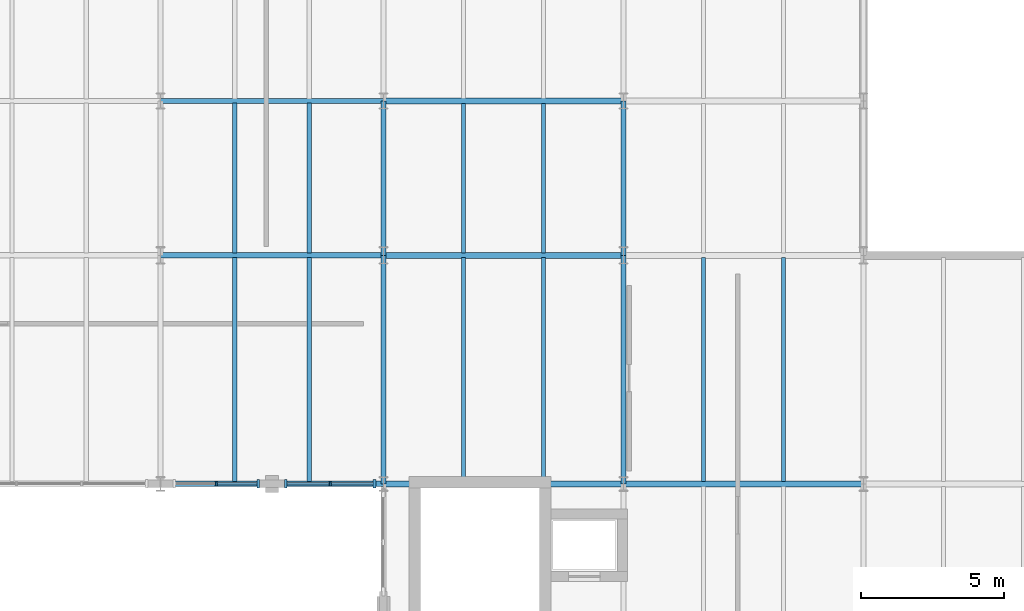
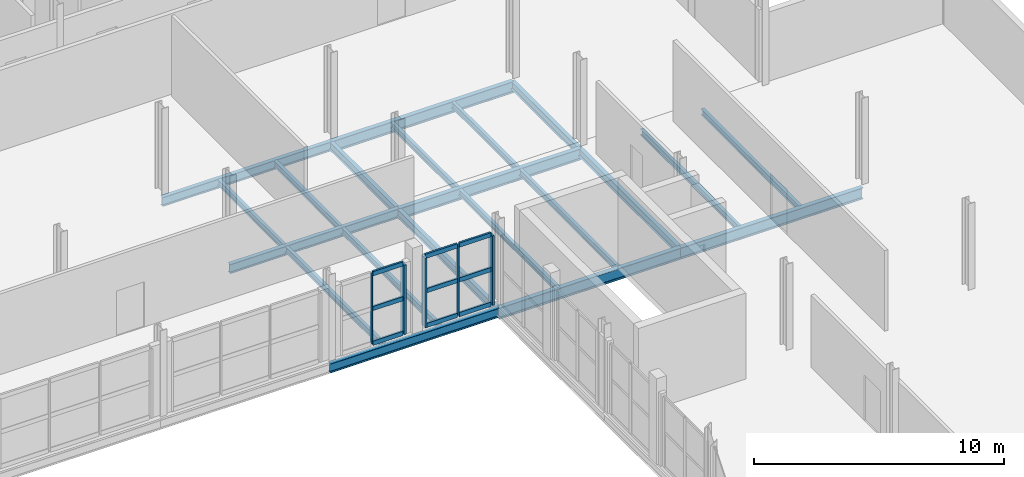
# One storey, part 20 of 45: 21 beams, 14 members, 2 elements without a shape of their own.
"""IFC4 building model written with IfcOpenShell, lengths in metres."""

from ifc_helpers import new_model, si_unit, direction, frame, origin, origin_2d, place, context, subcontext, project, spatial, rectangle, i_section, extrude, material, layer, layer_set, material_profile, profile_set, type_object, element, aggregate, save


model = new_model("IFC4")

# Units and contexts
model_context = context("Model", 3, precision=1e-05, world=origin(), true_north=direction((0.0, 1.0)))
body_context = subcontext(model_context, "Body", "Model", "MODEL_VIEW")
ifc_project = project(units=[si_unit("LENGTHUNIT", "METRE"), si_unit("AREAUNIT", "SQUARE_METRE"), si_unit("VOLUMEUNIT", "CUBIC_METRE"), si_unit("PLANEANGLEUNIT", "RADIAN"), si_unit("MASSUNIT", "GRAM", prefix="KILO")], contexts=[model_context])

# Site, building, storey
site_placement = place(None, origin())
site = spatial("IfcSite", under=ifc_project, at=site_placement, CompositionType="ELEMENT")
building_placement = place(site_placement, origin())
building = spatial("IfcBuilding", under=site, at=building_placement, Name="Sefraquen Railside Congress Hotel", CompositionType="ELEMENT")
storey_placement = place(building_placement, frame((0.0, 0.0, 20.39990234375)))
storey = spatial("IfcBuildingStorey", under=building, at=storey_placement, Name="L04", CompositionType="ELEMENT", Elevation=20.39990234375)

# Beams
ifc_material_1 = material(Name="Steel S355JR", Category="steel")
ifc_material_profile_1 = material_profile(ifc_material_1, i_section(OverallWidth=0.179931640625, OverallDepth=0.39990234375, WebThickness=0.008544921875, FlangeThickness=0.013427734375, FilletRadius=0.02099609375, at=origin_2d()), Name="IPE 400")
ifc_profile_set_1 = profile_set([ifc_material_profile_1], Name="Steel S355JR")
beam_type_1 = type_object("IfcBeamType", Name="TB-BM-400I", PredefinedType="BEAM", material=ifc_profile_set_1)
beam_1_placement = place(storey_placement, frame((103.199951171875, 88.0, -0.47998046875), z_axis=(0.0, 1.0, 0.0), x_axis=(-1.0, 0.0, 0.0)))
element("IfcBeam", 1, at=beam_1_placement, inside=storey, type_object=beam_type_1, Name="Floor beam BM-L04-1400", PredefinedType="BEAM", context=body_context, shape_type="SweptSolid", body=[
    extrude(i_section(OverallWidth=0.179931640625, OverallDepth=0.39990234375, WebThickness=0.008544921875, FlangeThickness=0.013427734375, FilletRadius=0.02099609375, at=origin_2d()), origin(), (0.0, 0.0, 1.0), 8.0),
])
beam_2_placement = place(storey_placement, frame((103.199951171875, 96.0, -0.47998046875), z_axis=(0.0, 1.0, 0.0), x_axis=(-1.0, 0.0, 0.0)))
element("IfcBeam", 2, at=beam_2_placement, inside=storey, type_object=beam_type_1, Name="Floor beam BM-L04-1401", PredefinedType="BEAM", context=body_context, shape_type="SweptSolid", body=[
    extrude(i_section(OverallWidth=0.179931640625, OverallDepth=0.39990234375, WebThickness=0.008544921875, FlangeThickness=0.013427734375, FilletRadius=0.02099609375, at=origin_2d()), origin(), (0.0, 0.0, 1.0), 5.39990234375),
])
beam_3_placement = place(storey_placement, frame((111.60009765625, 88.0, -0.47998046875), z_axis=(0.0, 1.0, 0.0), x_axis=(-1.0, 0.0, 0.0)))
element("IfcBeam", 3, at=beam_3_placement, inside=storey, type_object=beam_type_1, Name="Floor beam BM-L04-1408", PredefinedType="BEAM", context=body_context, shape_type="SweptSolid", body=[
    extrude(i_section(OverallWidth=0.179931640625, OverallDepth=0.39990234375, WebThickness=0.008544921875, FlangeThickness=0.013427734375, FilletRadius=0.02099609375, at=origin_2d()), origin(), (0.0, 0.0, 1.0), 8.0),
])
beam_4_placement = place(storey_placement, frame((111.60009765625, 96.0, -0.47998046875), z_axis=(0.0, 1.0, 0.0), x_axis=(-1.0, 0.0, 0.0)))
element("IfcBeam", 4, at=beam_4_placement, inside=storey, type_object=beam_type_1, Name="Floor beam BM-L04-1409", PredefinedType="BEAM", context=body_context, shape_type="SweptSolid", body=[
    extrude(i_section(OverallWidth=0.179931640625, OverallDepth=0.39990234375, WebThickness=0.008544921875, FlangeThickness=0.013427734375, FilletRadius=0.02099609375, at=origin_2d()), origin(), (0.0, 0.0, 1.0), 5.39990234375),
])
ifc_material_profile_2 = material_profile(ifc_material_1, i_section(OverallWidth=0.18994140625, OverallDepth=0.449951171875, WebThickness=0.009521484375, FlangeThickness=0.0146484375, FilletRadius=0.02099609375, at=origin_2d()), Name="IPE 450")
ifc_profile_set_2 = profile_set([ifc_material_profile_2], Name="Steel S355JR")
beam_type_2 = type_object("IfcBeamType", Name="TB-BM-450", PredefinedType="BEAM", material=ifc_profile_set_2)
for number, where, z_axis, x_axis, name in (
    (5, (95.39990234375, 88.0, -0.5048828125), (1.0, 0.0, 0.0), (0.0, 1.0, 0.0), "Primary girder BM-L04-1284"),
    (6, (95.39990234375, 96.0, -0.5048828125), (1.0, 0.0, 0.0), (0.0, 1.0, 0.0), "Primary girder BM-L04-1299"),
    (7, (95.39990234375, 101.39990234375, -0.5048828125), (1.0, 0.0, 0.0), (0.0, 1.0, 0.0), "Primary girder BM-L04-1312"),
):
    element("IfcBeam", number, at=place(storey_placement, frame(where, z_axis=z_axis, x_axis=x_axis)), inside=storey, type_object=beam_type_2, Name=name, PredefinedType="BEAM", context=body_context, shape_type="SweptSolid", body=[
        extrude(i_section(OverallWidth=0.18994140625, OverallDepth=0.449951171875, WebThickness=0.009521484375, FlangeThickness=0.0146484375, FilletRadius=0.02099609375, at=origin_2d()), origin(), (0.0, 0.0, 1.0), 7.800048828125),
    ])
ifc_material_profile_3 = material_profile(ifc_material_1, i_section(OverallWidth=0.2099609375, OverallDepth=0.550048828125, WebThickness=0.010986328125, FlangeThickness=0.01708984375, FilletRadius=0.02392578125, at=origin_2d()), Name="IPE 550")
ifc_profile_set_3 = profile_set([ifc_material_profile_3], Name="Steel S355JR")
beam_type_3 = type_object("IfcBeamType", Name="TB-GIR-550", PredefinedType="T_BEAM", material=ifc_profile_set_3)
beam_5_placement = place(storey_placement, frame((103.199951171875, 88.0, -0.554931640625), z_axis=(1.0, 0.0, 0.0), x_axis=(0.0, 1.0, 0.0)))
element("IfcBeam", 8, at=beam_5_placement, inside=storey, type_object=beam_type_3, Name="Primary girder BM-L04-1285", PredefinedType="T_BEAM", context=body_context, shape_type="SweptSolid", body=[
    extrude(i_section(OverallWidth=0.2099609375, OverallDepth=0.550048828125, WebThickness=0.010986328125, FlangeThickness=0.01708984375, FilletRadius=0.02392578125, at=origin_2d()), origin(), (0.0, 0.0, 1.0), 8.400146484375),
])
beam_6_placement = place(storey_placement, frame((111.60009765625, 88.0, -0.554931640625), z_axis=(1.0, 0.0, 0.0), x_axis=(0.0, 1.0, 0.0)))
element("IfcBeam", 9, at=beam_6_placement, inside=storey, type_object=beam_type_3, Name="Primary girder BM-L04-1286", PredefinedType="T_BEAM", context=body_context, shape_type="SweptSolid", body=[
    extrude(i_section(OverallWidth=0.2099609375, OverallDepth=0.550048828125, WebThickness=0.010986328125, FlangeThickness=0.01708984375, FilletRadius=0.02392578125, at=origin_2d()), origin(), (0.0, 0.0, 1.0), 8.39990234375),
])
for number, where, z_axis, x_axis, name in (
    (10, (103.199951171875, 96.0, -0.554931640625), (1.0, 0.0, 0.0), (0.0, 1.0, 0.0), "Primary girder BM-L04-1300"),
    (11, (103.199951171875, 101.39990234375, -0.554931640625), (1.0, 0.0, 0.0), (0.0, 1.0, 0.0), "Primary girder BM-L04-1313"),
):
    element("IfcBeam", number, at=place(storey_placement, frame(where, z_axis=z_axis, x_axis=x_axis)), inside=storey, type_object=beam_type_3, Name=name, PredefinedType="T_BEAM", context=body_context, shape_type="SweptSolid", body=[
        extrude(i_section(OverallWidth=0.2099609375, OverallDepth=0.550048828125, WebThickness=0.010986328125, FlangeThickness=0.01708984375, FilletRadius=0.02392578125, at=origin_2d()), origin(), (0.0, 0.0, 1.0), 8.400146484375),
    ])
ifc_material_profile_4 = material_profile(ifc_material_1, i_section(OverallWidth=0.14990234375, OverallDepth=0.300048828125, WebThickness=0.007080078125, FlangeThickness=0.0107421875, FilletRadius=0.014892578125, at=origin_2d()), Name="IPE 300")
ifc_profile_set_4 = profile_set([ifc_material_profile_4], Name="Steel S355JR")
beam_type_4 = type_object("IfcBeamType", Name="TB-JST-300", PredefinedType="JOIST", material=ifc_profile_set_4)
for number, where, z_axis, x_axis, name in (
    (12, (98.0, 88.074951171875, -0.429931640625), (0.0, 1.0, 0.0), (-1.0, 0.0, 0.0), "Composite floor joist BM-L04-J0904"),
    (13, (100.60009765625, 88.074951171875, -0.429931640625), (0.0, 1.0, 0.0), (-1.0, 0.0, 0.0), "Composite floor joist BM-L04-J0905"),
):
    element("IfcBeam", number, at=place(storey_placement, frame(where, z_axis=z_axis, x_axis=x_axis)), inside=storey, type_object=beam_type_4, Name=name, PredefinedType="JOIST", context=body_context, shape_type="SweptSolid", body=[
        extrude(i_section(OverallWidth=0.14990234375, OverallDepth=0.300048828125, WebThickness=0.007080078125, FlangeThickness=0.0107421875, FilletRadius=0.014892578125, at=origin_2d()), origin(), (0.0, 0.0, 1.0), 7.85009765625),
    ])
for number, where, z_axis, x_axis, name in (
    (14, (98.0, 96.074951171875, -0.429931640625), (0.0, 1.0, 0.0), (-1.0, 0.0, 0.0), "Composite floor joist BM-L04-J0906"),
    (15, (100.60009765625, 96.074951171875, -0.429931640625), (0.0, 1.0, 0.0), (-1.0, 0.0, 0.0), "Composite floor joist BM-L04-J0907"),
):
    element("IfcBeam", number, at=place(storey_placement, frame(where, z_axis=z_axis, x_axis=x_axis)), inside=storey, type_object=beam_type_4, Name=name, PredefinedType="JOIST", context=body_context, shape_type="SweptSolid", body=[
        extrude(i_section(OverallWidth=0.14990234375, OverallDepth=0.300048828125, WebThickness=0.007080078125, FlangeThickness=0.0107421875, FilletRadius=0.014892578125, at=origin_2d()), origin(), (0.0, 0.0, 1.0), 5.25),
    ])
for number, where, z_axis, x_axis, name in (
    (16, (106.0, 88.0849609375, -0.429931640625), (0.0, 1.0, 0.0), (-1.0, 0.0, 0.0), "Composite floor joist BM-L04-J0912"),
    (17, (108.800048828125, 88.0849609375, -0.429931640625), (0.0, 1.0, 0.0), (-1.0, 0.0, 0.0), "Composite floor joist BM-L04-J0913"),
):
    element("IfcBeam", number, at=place(storey_placement, frame(where, z_axis=z_axis, x_axis=x_axis)), inside=storey, type_object=beam_type_4, Name=name, PredefinedType="JOIST", context=body_context, shape_type="SweptSolid", body=[
        extrude(i_section(OverallWidth=0.14990234375, OverallDepth=0.300048828125, WebThickness=0.007080078125, FlangeThickness=0.0107421875, FilletRadius=0.014892578125, at=origin_2d()), origin(), (0.0, 0.0, 1.0), 7.830078125),
    ])
for number, where, z_axis, x_axis, name in (
    (18, (106.0, 96.0849609375, -0.429931640625), (0.0, 1.0, 0.0), (-1.0, 0.0, 0.0), "Composite floor joist BM-L04-J0914"),
    (19, (108.800048828125, 96.0849609375, -0.429931640625), (0.0, 1.0, 0.0), (-1.0, 0.0, 0.0), "Composite floor joist BM-L04-J0915"),
):
    element("IfcBeam", number, at=place(storey_placement, frame(where, z_axis=z_axis, x_axis=x_axis)), inside=storey, type_object=beam_type_4, Name=name, PredefinedType="JOIST", context=body_context, shape_type="SweptSolid", body=[
        extrude(i_section(OverallWidth=0.14990234375, OverallDepth=0.300048828125, WebThickness=0.007080078125, FlangeThickness=0.0107421875, FilletRadius=0.014892578125, at=origin_2d()), origin(), (0.0, 0.0, 1.0), 5.22998046875),
    ])
for number, where, z_axis, x_axis, name in (
    (20, (114.39990234375, 88.0849609375, -0.429931640625), (0.0, 1.0, 0.0), (-1.0, 0.0, 0.0), "Composite floor joist BM-L04-J0924"),
    (21, (117.199951171875, 88.0849609375, -0.429931640625), (0.0, 1.0, 0.0), (-1.0, 0.0, 0.0), "Composite floor joist BM-L04-J0925"),
):
    element("IfcBeam", number, at=place(storey_placement, frame(where, z_axis=z_axis, x_axis=x_axis)), inside=storey, type_object=beam_type_4, Name=name, PredefinedType="JOIST", context=body_context, shape_type="SweptSolid", body=[
        extrude(i_section(OverallWidth=0.14990234375, OverallDepth=0.300048828125, WebThickness=0.007080078125, FlangeThickness=0.0107421875, FilletRadius=0.014892578125, at=origin_2d()), origin(), (0.0, 0.0, 1.0), 7.830078125),
    ])

# Curtain wall, member
ifc_material_2 = material(Name="Thermally broken anodised aluminium and low-E double glazing", Category="aluminium")
ifc_layer = layer(ifc_material_2, 0.199951171875)
ifc_layer_set = layer_set([ifc_layer], Name="Thermally broken anodised aluminium and low-E double glazing")
curtain_wall_type = type_object("IfcCurtainWallType", Name="TCW-UCW-07", PredefinedType="USERDEFINED", material=ifc_layer_set)
curtain_wall_1_placement = place(storey_placement, origin())
curtain_wall_1 = element("IfcCurtainWall", 22, at=curtain_wall_1_placement, inside=storey, type_object=curtain_wall_type, Name="Meeting Wing L04 courtyard north curtain wall 3 bay 3", ObjectType="UNITISED CURTAIN WALL", PredefinedType="USERDEFINED")
ifc_material_3 = material(Name="Thermally broken anodised aluminium 6063-T6", Category="aluminium")
ifc_material_profile_5 = material_profile(ifc_material_3, rectangle(XDim=0.06005859375, YDim=0.159912109375, at=origin_2d()), Name="CWM 60x160")
ifc_profile_set_5 = profile_set([ifc_material_profile_5], Name="Thermally broken anodised aluminium 6063-T6")
member_type_1 = type_object("IfcMemberType", Name="TM-CWM-01", PredefinedType="MULLION", material=ifc_profile_set_5)
member_1_placement = place(storey_placement, frame((97.35009765625, 88.0, 0.0), z_axis=(0.0, 0.0, 1.0), x_axis=(1.0, 0.0, 0.0)))
member_1 = element("IfcMember", 23, at=member_1_placement, type_object=member_type_1, Name="CW-L04-071-S3 mullion 2", PredefinedType="MULLION", context=body_context, shape_type="SweptSolid", body=[
    extrude(rectangle(XDim=0.06005859375, YDim=0.159912109375, at=origin_2d()), origin(), (0.0, 0.0, 1.0), 3.39013671875),
])

curtain_wall_2_placement = place(storey_placement, origin())
curtain_wall_2 = element("IfcCurtainWall", 24, at=curtain_wall_2_placement, inside=storey, type_object=curtain_wall_type, Name="Meeting Wing L04 courtyard north curtain wall 3 bay 4", ObjectType="UNITISED CURTAIN WALL", PredefinedType="USERDEFINED")
member_2_placement = place(storey_placement, frame((101.3349609375, 88.0, 0.0), z_axis=(0.0, 0.0, 1.0), x_axis=(1.0, 0.0, 0.0)))
member_2 = element("IfcMember", 25, at=member_2_placement, type_object=member_type_1, Name="CW-L04-071-S4 mullion 2", PredefinedType="MULLION", context=body_context, shape_type="SweptSolid", body=[
    extrude(rectangle(XDim=0.06005859375, YDim=0.159912109375, at=origin_2d()), origin(), (0.0, 0.0, 1.0), 3.39013671875),
])

# Member
ifc_material_profile_6 = material_profile(ifc_material_3, rectangle(XDim=0.094970703125, YDim=0.300048828125, at=origin_2d()), Name="CWM 95x300")
ifc_profile_set_6 = profile_set([ifc_material_profile_6], Name="Thermally broken anodised aluminium 6063-T6")
member_type_2 = type_object("IfcMemberType", Name="TM-CWM-08", PredefinedType="MULLION", material=ifc_profile_set_6)
member_3_placement = place(storey_placement, frame((98.820068359375, 88.0, 0.0), z_axis=(0.0, 0.0, 1.0), x_axis=(1.0, 0.0, 0.0)))
member_3 = element("IfcMember", 26, at=member_3_placement, type_object=member_type_2, Name="CW-L04-071-S3 mullion 3", PredefinedType="MULLION", context=body_context, shape_type="SweptSolid", body=[
    extrude(rectangle(XDim=0.094970703125, YDim=0.300048828125, at=origin_2d()), origin(), (0.0, 0.0, 1.0), 3.39013671875),
])

member_4_placement = place(storey_placement, frame((99.780029296875, 88.0, 0.0), z_axis=(0.0, 0.0, 1.0), x_axis=(1.0, 0.0, 0.0)))
member_4 = element("IfcMember", 27, at=member_4_placement, type_object=member_type_2, Name="CW-L04-071-S4 mullion 1", PredefinedType="MULLION", context=body_context, shape_type="SweptSolid", body=[
    extrude(rectangle(XDim=0.094970703125, YDim=0.300048828125, at=origin_2d()), origin(), (0.0, 0.0, 1.0), 3.39013671875),
])

member_5_placement = place(storey_placement, frame((102.889892578125, 88.0, 0.0), z_axis=(0.0, 0.0, 1.0), x_axis=(1.0, 0.0, 0.0)))
member_5 = element("IfcMember", 28, at=member_5_placement, type_object=member_type_2, Name="CW-L04-071-S4 mullion 3", PredefinedType="MULLION", context=body_context, shape_type="SweptSolid", body=[
    extrude(rectangle(XDim=0.094970703125, YDim=0.300048828125, at=origin_2d()), origin(), (0.0, 0.0, 1.0), 3.39013671875),
])

ifc_material_profile_7 = material_profile(ifc_material_3, rectangle(XDim=0.090087890625, YDim=0.2099609375, at=origin_2d()), Name="CWT 90x210")
ifc_profile_set_7 = profile_set([ifc_material_profile_7], Name="Thermally broken anodised aluminium 6063-T6")
member_type_3 = type_object("IfcMemberType", Name="TM-CWT-07", PredefinedType="USERDEFINED", material=ifc_profile_set_7)
member_6_placement = place(storey_placement, frame((97.39501953125, 88.0, 0.0), z_axis=(1.0, 0.0, 0.0), x_axis=(0.0, 1.0, 0.0)))
member_6 = element("IfcMember", 29, at=member_6_placement, type_object=member_type_3, Name="CW-L04-071-S3 transom 1.2", ObjectType="TRANSOM", PredefinedType="USERDEFINED", context=body_context, shape_type="SweptSolid", body=[
    extrude(rectangle(XDim=0.090087890625, YDim=0.2099609375, at=origin_2d()), origin(), (0.0, 0.0, 1.0), 1.3798828125),
])

member_7_placement = place(storey_placement, frame((97.39501953125, 88.0, 1.695068359375), z_axis=(1.0, 0.0, 0.0), x_axis=(0.0, 1.0, 0.0)))
member_7 = element("IfcMember", 30, at=member_7_placement, type_object=member_type_3, Name="CW-L04-071-S3 transom 2.2", ObjectType="TRANSOM", PredefinedType="USERDEFINED", context=body_context, shape_type="SweptSolid", body=[
    extrude(rectangle(XDim=0.090087890625, YDim=0.2099609375, at=origin_2d()), origin(), (0.0, 0.0, 1.0), 1.3798828125),
])

member_8_placement = place(storey_placement, frame((97.39501953125, 88.0, 3.39013671875), z_axis=(1.0, 0.0, 0.0), x_axis=(0.0, 1.0, 0.0)))
member_8 = element("IfcMember", 31, at=member_8_placement, type_object=member_type_3, Name="CW-L04-071-S3 transom 3.2", ObjectType="TRANSOM", PredefinedType="USERDEFINED", context=body_context, shape_type="SweptSolid", body=[
    extrude(rectangle(XDim=0.090087890625, YDim=0.2099609375, at=origin_2d()), origin(), (0.0, 0.0, 1.0), 1.3798828125),
])

aggregate(curtain_wall_1, [member_1, member_3, member_6, member_7, member_8])

member_9_placement = place(storey_placement, frame((99.824951171875, 88.0, 0.0), z_axis=(1.0, 0.0, 0.0), x_axis=(0.0, 1.0, 0.0)))
member_9 = element("IfcMember", 32, at=member_9_placement, type_object=member_type_3, Name="CW-L04-071-S4 transom 1.1", ObjectType="TRANSOM", PredefinedType="USERDEFINED", context=body_context, shape_type="SweptSolid", body=[
    extrude(rectangle(XDim=0.090087890625, YDim=0.2099609375, at=origin_2d()), origin(), (0.0, 0.0, 1.0), 1.465087890625),
])

member_10_placement = place(storey_placement, frame((101.3798828125, 88.0, 0.0), z_axis=(1.0, 0.0, 0.0), x_axis=(0.0, 1.0, 0.0)))
member_10 = element("IfcMember", 33, at=member_10_placement, type_object=member_type_3, Name="CW-L04-071-S4 transom 1.2", ObjectType="TRANSOM", PredefinedType="USERDEFINED", context=body_context, shape_type="SweptSolid", body=[
    extrude(rectangle(XDim=0.090087890625, YDim=0.2099609375, at=origin_2d()), origin(), (0.0, 0.0, 1.0), 1.465087890625),
])

member_11_placement = place(storey_placement, frame((99.824951171875, 88.0, 1.695068359375), z_axis=(1.0, 0.0, 0.0), x_axis=(0.0, 1.0, 0.0)))
member_11 = element("IfcMember", 34, at=member_11_placement, type_object=member_type_3, Name="CW-L04-071-S4 transom 2.1", ObjectType="TRANSOM", PredefinedType="USERDEFINED", context=body_context, shape_type="SweptSolid", body=[
    extrude(rectangle(XDim=0.090087890625, YDim=0.2099609375, at=origin_2d()), origin(), (0.0, 0.0, 1.0), 1.465087890625),
])

member_12_placement = place(storey_placement, frame((101.3798828125, 88.0, 1.695068359375), z_axis=(1.0, 0.0, 0.0), x_axis=(0.0, 1.0, 0.0)))
member_12 = element("IfcMember", 35, at=member_12_placement, type_object=member_type_3, Name="CW-L04-071-S4 transom 2.2", ObjectType="TRANSOM", PredefinedType="USERDEFINED", context=body_context, shape_type="SweptSolid", body=[
    extrude(rectangle(XDim=0.090087890625, YDim=0.2099609375, at=origin_2d()), origin(), (0.0, 0.0, 1.0), 1.465087890625),
])

member_13_placement = place(storey_placement, frame((99.824951171875, 88.0, 3.39013671875), z_axis=(1.0, 0.0, 0.0), x_axis=(0.0, 1.0, 0.0)))
member_13 = element("IfcMember", 36, at=member_13_placement, type_object=member_type_3, Name="CW-L04-071-S4 transom 3.1", ObjectType="TRANSOM", PredefinedType="USERDEFINED", context=body_context, shape_type="SweptSolid", body=[
    extrude(rectangle(XDim=0.090087890625, YDim=0.2099609375, at=origin_2d()), origin(), (0.0, 0.0, 1.0), 1.465087890625),
])

member_14_placement = place(storey_placement, frame((101.3798828125, 88.0, 3.39013671875), z_axis=(1.0, 0.0, 0.0), x_axis=(0.0, 1.0, 0.0)))
member_14 = element("IfcMember", 37, at=member_14_placement, type_object=member_type_3, Name="CW-L04-071-S4 transom 3.2", ObjectType="TRANSOM", PredefinedType="USERDEFINED", context=body_context, shape_type="SweptSolid", body=[
    extrude(rectangle(XDim=0.090087890625, YDim=0.2099609375, at=origin_2d()), origin(), (0.0, 0.0, 1.0), 1.465087890625),
])

aggregate(curtain_wall_2, [member_4, member_2, member_5, member_9, member_10, member_11, member_12, member_13, member_14])

save(model, "model.ifc")
